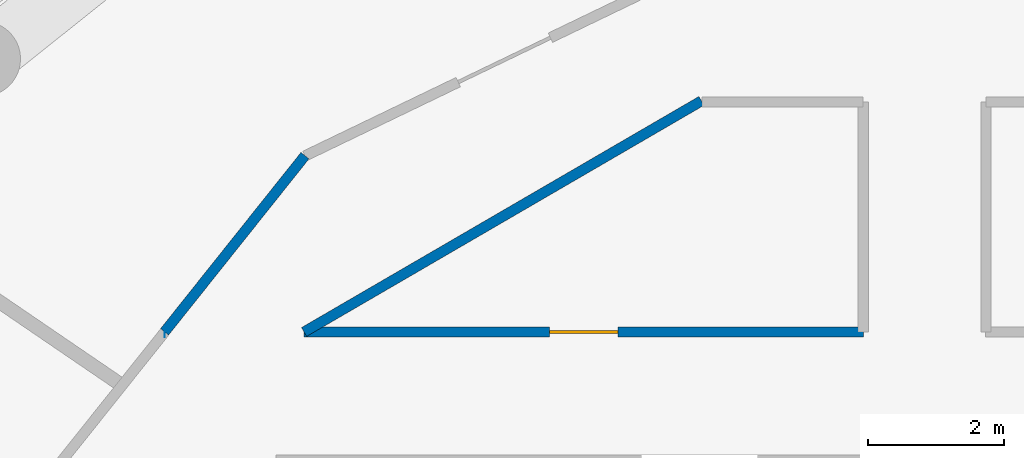
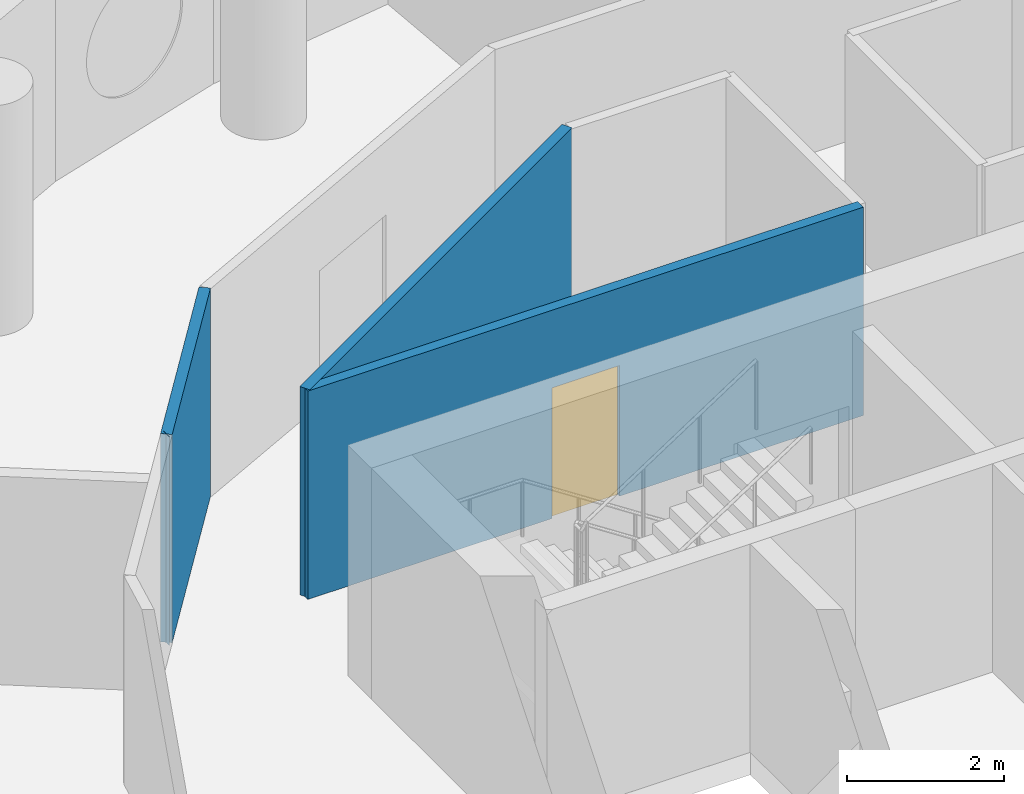
# One storey, part 7 of 13: 4 walls, 1 door, 1 opening.
"""IFC4 building model written with IfcOpenShell, lengths in metres."""

from ifc_helpers import new_model, si_unit, direction, frame, frame_2d, origin, place, context, subcontext, project, spatial, rectangle, extrude, material, layer, layer_set, type_object, element, fill, save


model = new_model("IFC4")

# Units and contexts
model_context = context("Model", 3, precision=1e-05, world=origin(), true_north=direction((0.0, 1.0)))
body_context = subcontext(model_context, "Body", "Model", "MODEL_VIEW")
ifc_project = project(units=[si_unit("LENGTHUNIT", "METRE"), si_unit("AREAUNIT", "SQUARE_METRE"), si_unit("VOLUMEUNIT", "CUBIC_METRE"), si_unit("PLANEANGLEUNIT", "RADIAN"), si_unit("MASSUNIT", "GRAM", prefix="KILO")], contexts=[model_context])

# Site, building, storey
site_placement = place(None, origin())
site = spatial("IfcSite", under=ifc_project, at=site_placement, CompositionType="ELEMENT")
building_placement = place(site_placement, origin())
building = spatial("IfcBuilding", under=site, at=building_placement, Name="Tracery Tower", CompositionType="ELEMENT")
storey_placement = place(building_placement, frame((0.0, 0.0, 252.60009765625)))
storey = spatial("IfcBuildingStorey", under=building, at=storey_placement, Name="L65", CompositionType="ELEMENT", Elevation=252.60009765625)

# Wall
ifc_material_1 = material(Name="Plasterboard on steel studs", Category="steel")
ifc_layer = layer(ifc_material_1, 0.14990234375)
ifc_layer_set = layer_set([ifc_layer], Name="Partition 150 corridor wall")
wall_type = type_object("IfcWallType", Name="Partition 150 corridor wall", PredefinedType="PARTITIONING", material=ifc_layer_set)
wall_1_placement = place(storey_placement, frame((-9.092041015625, 8.800048828125, 0.0), z_axis=(0.0, 0.0, 1.0), x_axis=(0.864470922103, 0.502682827277, 0.0)))
element("IfcWall", 1, at=wall_1_placement, inside=storey, type_object=wall_type, Name="Corridor wall RC3-001", PredefinedType="PARTITIONING", context=body_context, shape_type="SweptSolid", body=[
    extrude(rectangle(XDim=6.7353515625, YDim=0.14990234375, at=frame_2d((3.36767578125, 0.0))), origin(), (0.0, 0.0, 1.0), 3.25),
])

# Wall, opening, door
wall_2_placement = place(storey_placement, frame((-9.092041015625, 8.800048828125, 0.0), z_axis=(0.0, 0.0, 1.0), x_axis=(1.0, 0.0, 0.0)))
wall_2 = element("IfcWall", 2, at=wall_2_placement, inside=storey, type_object=wall_type, Name="Corridor wall RC3-002", PredefinedType="PARTITIONING", context=body_context, shape_type="SweptSolid", body=[
    extrude(rectangle(XDim=8.196044921875, YDim=0.14990234375, at=frame_2d((4.09814453125, 0.0))), origin(), (0.0, 0.0, 1.0), 3.25),
])
opening_placement = place(wall_2_placement, frame((3.597900390625, 0.0, 0.0)))
opening = element("IfcOpeningElement", 3, at=opening_placement, cuts=wall_2, Name="Opening RC3-01", PredefinedType="OPENING", context=body_context, shape_type="SweptSolid", body=[
    extrude(rectangle(XDim=1.0, YDim=2.0400390625, at=frame_2d((0.5, 1.02001953125))), frame((0.0, 0.074951171875, 0.0), z_axis=(0.0, -1.0, 0.0), x_axis=(1.0, 0.0, 0.0)), (0.0, 0.0, 1.0), 0.14990234375),
])
ifc_material_2 = material(Name="Timber door leaf", Category="wood")
door_type = type_object("IfcDoorType", Name="Door communal room 1000", OperationType="NOTDEFINED", PredefinedType="DOOR", material=ifc_material_2)
door_placement = place(opening_placement, origin())
door = element("IfcDoor", 4, at=door_placement, inside=storey, type_object=door_type, Name="Communal room door RC3-01", OperationType="SINGLE_SWING_RIGHT", OverallHeight=2.0400390625, OverallWidth=1.0, PredefinedType="DOOR", context=body_context, shape_type="SweptSolid", body=[
    extrude(rectangle(XDim=1.0, YDim=2.0400390625, at=frame_2d((0.5, 1.02001953125))), frame((0.0, 0.02490234375, 0.0), z_axis=(0.0, -1.0, 0.0), x_axis=(1.0, 0.0, 0.0)), (0.0, 0.0, 1.0), 0.050048828125),
])
fill(opening, door)

# Walls
wall_3_placement = place(storey_placement, frame((-11.134033203125, 8.800048828125, 0.0), z_axis=(0.0, 0.0, 1.0), x_axis=(-1.0, 0.0, 0.0)))
element("IfcWall", 5, at=wall_3_placement, inside=storey, type_object=wall_type, Name="Corridor wall RC3-009", PredefinedType="PARTITIONING", context=body_context, shape_type="SweptSolid", body=[
    extrude(rectangle(XDim=0.0029296875, YDim=0.14990234375, at=frame_2d((0.00146484375, 0.0))), origin(), (0.0, 0.0, 1.0), 3.25),
])
wall_4_placement = place(storey_placement, frame((-11.135986328125, 8.802001953125, 0.0), z_axis=(0.0, 0.0, 1.0), x_axis=(0.623151397235, 0.782101231379, 0.0)))
element("IfcWall", 6, at=wall_4_placement, inside=storey, type_object=wall_type, Name="Corridor wall RC3-010", PredefinedType="PARTITIONING", context=body_context, shape_type="SweptSolid", body=[
    extrude(rectangle(XDim=3.30078125, YDim=0.14990234375, at=frame_2d((1.650390625, 0.0))), origin(), (0.0, 0.0, 1.0), 3.25),
])

save(model, "model.ifc")
